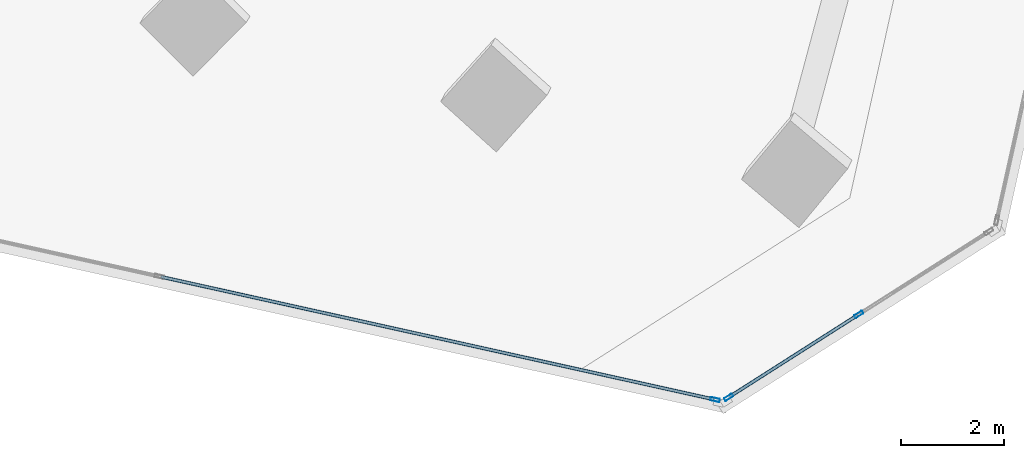
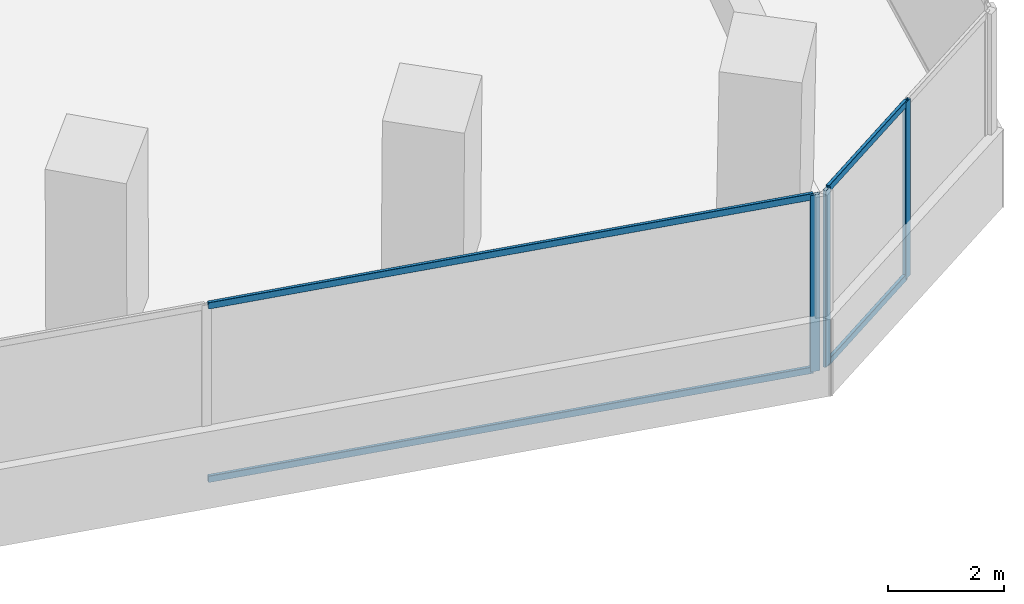
# One storey, part 9 of 26: 7 members, 2 elements without a shape of their own.
"""IFC4 building model written with IfcOpenShell, lengths in metres."""

from ifc_helpers import new_model, si_unit, direction, frame, origin, origin_2d, place, context, subcontext, project, spatial, hollow_rectangle, extrude, source, transform, mapped, material, material_profile, profile_set, type_object, element, aggregate, save


model = new_model("IFC4")

# Units and contexts
model_context = context("Model", 3, precision=1e-05, world=origin(), true_north=direction((0.0, 1.0)))
body_context = subcontext(model_context, "Body", "Model", "MODEL_VIEW")
ifc_project = project(units=[si_unit("LENGTHUNIT", "METRE"), si_unit("AREAUNIT", "SQUARE_METRE"), si_unit("VOLUMEUNIT", "CUBIC_METRE"), si_unit("PLANEANGLEUNIT", "RADIAN"), si_unit("MASSUNIT", "GRAM", prefix="KILO")], contexts=[model_context])

# Site, building, storey
site_placement = place(None, origin())
site = spatial("IfcSite", under=ifc_project, at=site_placement, CompositionType="ELEMENT")
building_placement = place(site_placement, origin())
building = spatial("IfcBuilding", under=site, at=building_placement, Name="Torre Montelarca", CompositionType="ELEMENT")
storey_placement = place(building_placement, frame((0.0, 0.0, 95.800048828125)))
storey = spatial("IfcBuildingStorey", under=building, at=storey_placement, Name="L21", CompositionType="ELEMENT", Elevation=95.800048828125)

# Curtain wall, members
ifc_material_1 = material(Name="Insulated low-E laminated glass", Category="glass")
curtain_wall_type = type_object("IfcCurtainWallType", Name="CW-SYS-Z1", PredefinedType="USERDEFINED", material=ifc_material_1)
curtain_wall_1_placement = place(storey_placement, origin())
curtain_wall_1 = element("IfcCurtainWall", 1, at=curtain_wall_1_placement, inside=storey, type_object=curtain_wall_type, Name="L21 Curtain Wall Run CW-T3-L21-E04-B1", ObjectType="UNITISED GLAZING", PredefinedType="USERDEFINED")
ifc_material_2 = material(Name="Anodised aluminium AA 6063-T6", Category="aluminium")
ifc_material_profile_1 = material_profile(ifc_material_2, hollow_rectangle(XDim=0.06494140625, YDim=0.139892578125, WallThickness=0.00390625, InnerFilletRadius=0.00390625, OuterFilletRadius=0.008056640625, at=origin_2d()), Name="ALU65X140X4", Category="aluminium")
ifc_profile_set_1 = profile_set([ifc_material_profile_1], Name="Anodised aluminium AA 6063-T6")
member_type_1 = type_object("IfcMemberType", Name="CWT-ALU140", PredefinedType="USERDEFINED", material=ifc_profile_set_1)
shared_shape_1 = source(origin(), body_context, "Body", "SweptSolid", [
    extrude(hollow_rectangle(XDim=0.06494140625, YDim=0.139892578125, WallThickness=0.00390625, InnerFilletRadius=0.00390625, OuterFilletRadius=0.008056640625, at=origin_2d()), origin(), (0.0, 0.0, 1.0), 10.94873046875),
])
member_1_placement = place(storey_placement, frame((44.62841796875, 12.87060546875, 0.032470703125), z_axis=(0.976298162359, -0.216429892055, 0.0), x_axis=(0.216429892055, 0.976298162359, 0.0)))
member_1 = element("IfcMember", 2, at=member_1_placement, type_object=member_type_1, Name="CW transom 2.1", ObjectType="TRANSOM", PredefinedType="USERDEFINED", context=body_context, shape_type="MappedRepresentation", body=[
    mapped(shared_shape_1, transform((0.0, 0.0, 0.0), scale=1.0)),
])
member_2_placement = place(storey_placement, frame((44.62841796875, 12.87060546875, 3.6875), z_axis=(0.976298162359, -0.216429892055, 0.0), x_axis=(0.216429892055, 0.976298162359, 0.0)))
member_2 = element("IfcMember", 3, at=member_2_placement, type_object=member_type_1, Name="CW transom 2.2", ObjectType="TRANSOM", PredefinedType="USERDEFINED", context=body_context, shape_type="MappedRepresentation", body=[
    mapped(shared_shape_1, transform((0.0, 0.0, 0.0), scale=1.0)),
])

curtain_wall_2_placement = place(storey_placement, origin())
curtain_wall_2 = element("IfcCurtainWall", 4, at=curtain_wall_2_placement, inside=storey, type_object=curtain_wall_type, Name="L21 Curtain Wall Run CW-T3-L21-E05-B1", ObjectType="UNITISED GLAZING", PredefinedType="USERDEFINED")
shared_shape_2 = source(origin(), body_context, "Body", "SweptSolid", [
    extrude(hollow_rectangle(XDim=0.06494140625, YDim=0.139892578125, WallThickness=0.00390625, InnerFilletRadius=0.00390625, OuterFilletRadius=0.008056640625, at=origin_2d()), origin(), (0.0, 0.0, 1.0), 2.918701171875),
])
member_3_placement = place(storey_placement, frame((55.6396484375, 10.5576171875, 0.032470703125), z_axis=(0.843351352958, 0.537362536342, 0.0), x_axis=(-0.537362536342, 0.843351352958, 0.0)))
member_3 = element("IfcMember", 5, at=member_3_placement, type_object=member_type_1, Name="CW transom 1.1", ObjectType="TRANSOM", PredefinedType="USERDEFINED", context=body_context, shape_type="MappedRepresentation", body=[
    mapped(shared_shape_2, transform((0.0, 0.0, 0.0), scale=1.0)),
])
member_4_placement = place(storey_placement, frame((55.6396484375, 10.5576171875, 3.6875), z_axis=(0.843351352958, 0.537362536342, 0.0), x_axis=(-0.537362536342, 0.843351352958, 0.0)))
member_4 = element("IfcMember", 6, at=member_4_placement, type_object=member_type_1, Name="CW transom 1.2", ObjectType="TRANSOM", PredefinedType="USERDEFINED", context=body_context, shape_type="MappedRepresentation", body=[
    mapped(shared_shape_2, transform((0.0, 0.0, 0.0), scale=1.0)),
])

# Member
ifc_material_profile_2 = material_profile(ifc_material_2, hollow_rectangle(XDim=0.06494140625, YDim=0.179931640625, WallThickness=0.00390625, InnerFilletRadius=0.00390625, OuterFilletRadius=0.008056640625, at=origin_2d()), Name="ALU65X180X4", Category="aluminium")
ifc_profile_set_2 = profile_set([ifc_material_profile_2], Name="Anodised aluminium AA 6063-T6")
member_type_2 = type_object("IfcMemberType", Name="CWM-ALU180", PredefinedType="MULLION", material=ifc_profile_set_2)
shared_shape_3 = source(origin(), body_context, "Body", "SweptSolid", [
    extrude(hollow_rectangle(XDim=0.06494140625, YDim=0.179931640625, WallThickness=0.00390625, InnerFilletRadius=0.00390625, OuterFilletRadius=0.008056640625, at=origin_2d()), origin(), (0.0, 0.0, 1.0), 3.719970703125),
])
member_5_placement = place(storey_placement, frame((55.349365234375, 10.493896484375, 0.0), z_axis=(0.0, 0.0, 1.0), x_axis=(0.216436780664, 0.976296635237, 0.0)))
member_5 = element("IfcMember", 7, at=member_5_placement, type_object=member_type_2, Name="CW mullion 3", PredefinedType="MULLION", context=body_context, shape_type="MappedRepresentation", body=[
    mapped(shared_shape_3, transform((0.0, 0.0, 0.0), scale=1.0)),
])

aggregate(curtain_wall_1, [member_5, member_1, member_2])

member_6_placement = place(storey_placement, frame((55.6123046875, 10.540283203125, 0.0), z_axis=(0.0, 0.0, 1.0), x_axis=(-0.537304483117, 0.843388340222, 0.0)))
member_6 = element("IfcMember", 8, at=member_6_placement, type_object=member_type_2, Name="CW mullion 1", PredefinedType="MULLION", context=body_context, shape_type="MappedRepresentation", body=[
    mapped(shared_shape_3, transform((0.0, 0.0, 0.0), scale=1.0)),
])

member_7_placement = place(storey_placement, frame((58.128662109375, 12.143310546875, 0.0), z_axis=(0.0, 0.0, 1.0), x_axis=(-0.537304483117, 0.843388340222, 0.0)))
member_7 = element("IfcMember", 9, at=member_7_placement, type_object=member_type_2, Name="CW mullion 2", PredefinedType="MULLION", context=body_context, shape_type="MappedRepresentation", body=[
    mapped(shared_shape_3, transform((0.0, 0.0, 0.0), scale=1.0)),
])

aggregate(curtain_wall_2, [member_6, member_7, member_3, member_4])

save(model, "model.ifc")
